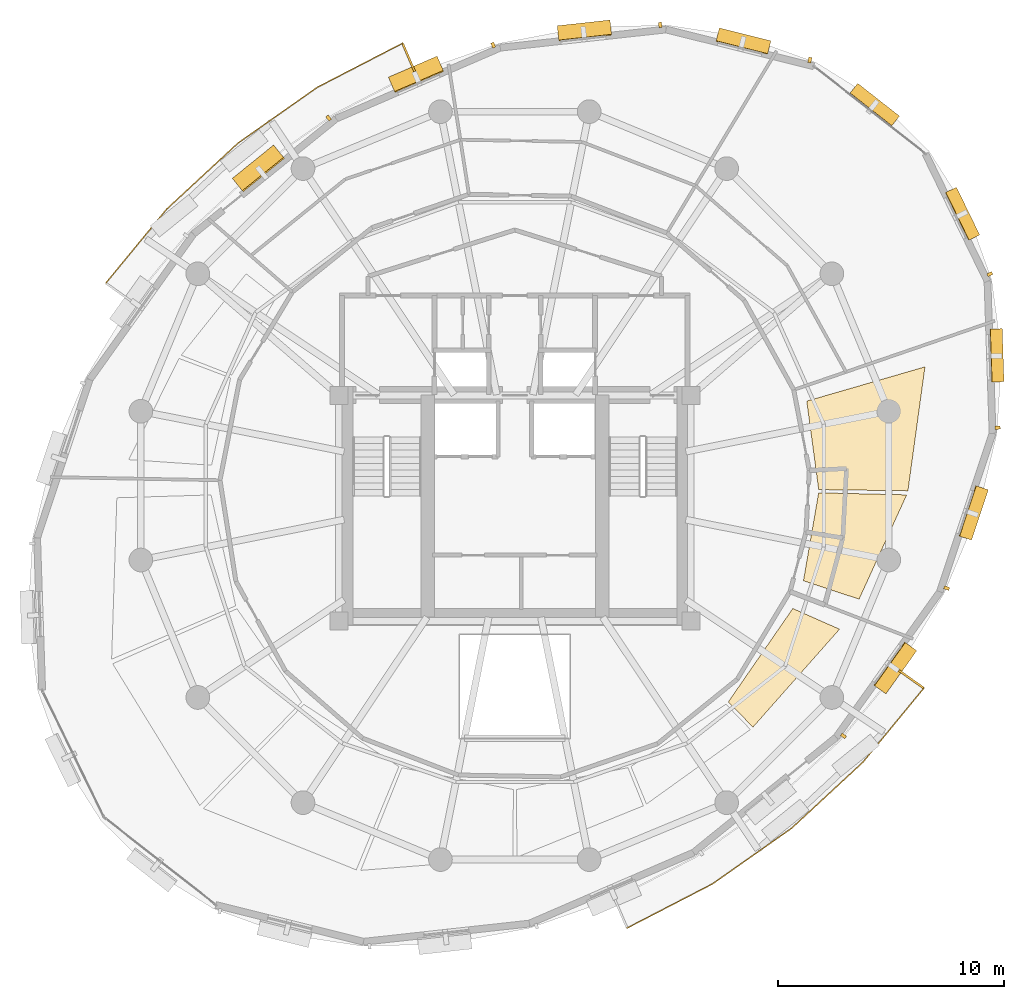
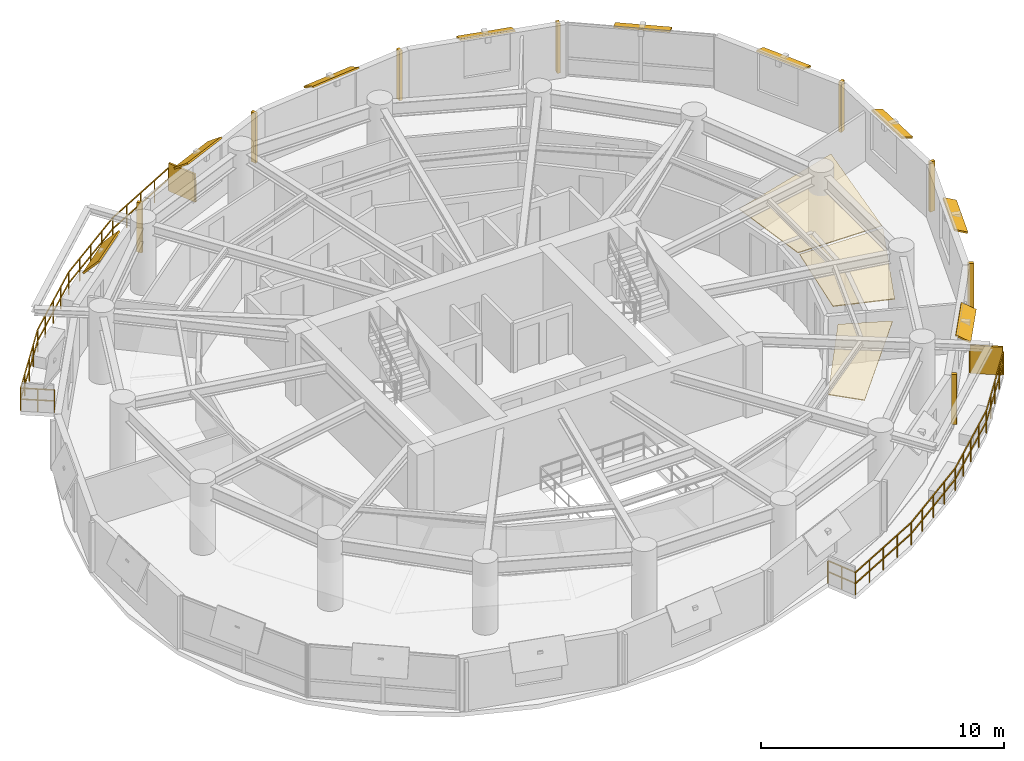
# One storey, part 12 of 12: 19 shading devices, 3 coverings, 2 railings.
"""IFC4 building model written with IfcOpenShell, lengths in metres."""

from ifc_helpers import new_model, si_unit, direction, frame, origin, origin_2d, place, context, subcontext, project, spatial, polyline, rectangle, outline, extrude, material, layer, layer_set, type_object, element, save


model = new_model("IFC4")

# Units and contexts
model_context = context("Model", 3, precision=1e-05, world=origin(), true_north=direction((0.0, 1.0)))
body_context = subcontext(model_context, "Body", "Model", "MODEL_VIEW")
ifc_project = project(units=[si_unit("LENGTHUNIT", "METRE"), si_unit("AREAUNIT", "SQUARE_METRE"), si_unit("VOLUMEUNIT", "CUBIC_METRE"), si_unit("PLANEANGLEUNIT", "RADIAN"), si_unit("MASSUNIT", "GRAM", prefix="KILO"), si_unit("THERMODYNAMICTEMPERATUREUNIT", "KELVIN"), si_unit("POWERUNIT", "WATT")], contexts=[model_context])

# Site, building, storey
site_placement = place(None, origin())
site = spatial("IfcSite", under=ifc_project, at=site_placement, CompositionType="ELEMENT")
building_placement = place(site_placement, origin())
building = spatial("IfcBuilding", under=site, at=building_placement, Name="Ocrelia Relay Tower", CompositionType="ELEMENT")
storey_placement = place(building_placement, frame((0.0, 0.0, 195.199951171875)))
storey = spatial("IfcBuildingStorey", under=building, at=storey_placement, Name="L47", CompositionType="ELEMENT", Elevation=195.199951171875)

# Coverings
ifc_material_1 = material(Name="Mineral-fiber acoustic ceiling tile", Category="gypsum")
ifc_layer_1 = layer(ifc_material_1, 0.0400390625, Name="Mineral-fiber acoustic ceiling tile")
ifc_layer_set_1 = layer_set([ifc_layer_1], Name="Mineral-fiber acoustic ceiling tile")
covering_type = type_object("IfcCoveringType", Name="COV-CEIL-ACOUSTIC", PredefinedType="CEILING", material=ifc_layer_set_1)
covering_1_placement = place(storey_placement, frame((0.0, 0.0, 2.380126953125)))
element("IfcCovering", 1, at=covering_1_placement, inside=storey, type_object=covering_type, Name="L47 Spectrum Operations Office A Suspended Ceiling 1", PredefinedType="CEILING", context=body_context, shape_type="SweptSolid", body=[
    extrude(outline(polyline([(46.79248046875, 21.78173828125), (49.258544921875, 20.968505859375), (51.36767578125, 25.5908203125), (47.46630859375, 25.6826171875), (46.79248046875, 21.78173828125)])), origin(), (0.0, 0.0, 1.0), 0.0400390625),
])
covering_2_placement = place(storey_placement, frame((0.0, 0.0, 2.380126953125)))
element("IfcCovering", 2, at=covering_2_placement, inside=storey, type_object=covering_type, Name="L47 Spectrum Operations Office A Suspended Ceiling 2", PredefinedType="CEILING", context=body_context, shape_type="SweptSolid", body=[
    extrude(outline(polyline([(47.46875, 25.82373046875), (51.423828125, 25.77197265625), (52.178466796875, 31.26416015625), (46.9384765625, 29.74658203125), (47.46875, 25.82373046875)])), origin(), (0.0, 0.0, 1.0), 0.0400390625),
])
covering_3_placement = place(storey_placement, frame((0.0, 0.0, 2.380126953125)))
element("IfcCovering", 3, at=covering_3_placement, inside=storey, type_object=covering_type, Name="L47 Monitoring Office F Suspended Ceiling 7", PredefinedType="CEILING", context=body_context, shape_type="SweptSolid", body=[
    extrude(outline(polyline([(43.459228515625, 16.41015625), (44.55615234375, 15.298095703125), (48.392578125, 19.63720703125), (46.31982421875, 20.553466796875), (43.459228515625, 16.41015625)])), origin(), (0.0, 0.0, 1.0), 0.0400390625),
])

# Railings
ifc_material_2 = material(Name="Steel S355 balustrade", Category="steel")
railing_type = type_object("IfcRailingType", Name="RL-EXT-GUARD-1150", PredefinedType="GUARDRAIL", material=ifc_material_2)
railing_1_placement = place(storey_placement, frame((17.006103515625, 34.170654296875, 0.0)))
element("IfcRailing", 4, at=railing_1_placement, inside=storey, type_object=railing_type, Name="L47 Loggia Balcony Guard Rail B1", PredefinedType="GUARDRAIL", context=body_context, shape_type="SweptSolid", body=[
    extrude(rectangle(XDim=0.048095703125, YDim=0.048095703125, at=origin_2d()), frame((0.0, 0.0, 1.1259765625), z_axis=(-0.81518693876, 0.579197941014, 0.0), x_axis=(-0.579197941014, -0.81518693876, 0.0)), (0.0, 0.0, 1.0), 1.3935546875),
    extrude(rectangle(XDim=0.048095703125, YDim=0.048095703125, at=origin_2d()), frame((0.0, 0.0, 0.574951171875), z_axis=(-0.81518693876, 0.579197941014, 0.0), x_axis=(-0.579197941014, -0.81518693876, 0.0)), (0.0, 0.0, 1.0), 1.3935546875),
    extrude(rectangle(XDim=0.048095703125, YDim=0.048095703125, at=origin_2d()), frame((-1.135986328125, 0.80712890625, 1.1259765625), z_axis=(0.635248453565, 0.77230784163, 0.0), x_axis=(-0.77230784163, 0.635248453565, 0.0)), (0.0, 0.0, 1.0), 2.126953125),
    extrude(rectangle(XDim=0.048095703125, YDim=0.048095703125, at=origin_2d()), frame((-1.135986328125, 0.80712890625, 0.574951171875), z_axis=(0.635248453565, 0.77230784163, 0.0), x_axis=(-0.77230784163, 0.635248453565, 0.0)), (0.0, 0.0, 1.0), 2.126953125),
    extrude(rectangle(XDim=0.048095703125, YDim=0.048095703125, at=origin_2d()), frame((0.215087890625, 2.44970703125, 1.1259765625), z_axis=(0.635236300755, 0.772317837553, 0.0), x_axis=(-0.772317837553, 0.635236300755, 0.0)), (0.0, 0.0, 1.0), 2.12646484375),
    extrude(rectangle(XDim=0.048095703125, YDim=0.048095703125, at=origin_2d()), frame((0.215087890625, 2.44970703125, 0.574951171875), z_axis=(0.635236300755, 0.772317837553, 0.0), x_axis=(-0.772317837553, 0.635236300755, 0.0)), (0.0, 0.0, 1.0), 2.12646484375),
    extrude(rectangle(XDim=0.048095703125, YDim=0.048095703125, at=origin_2d()), frame((1.56591796875, 4.092041015625, 1.1259765625), z_axis=(0.733840359515, 0.679321961037, 0.0), x_axis=(-0.679321961037, 0.733840359515, 0.0)), (0.0, 0.0, 1.0), 4.299072265625),
    extrude(rectangle(XDim=0.048095703125, YDim=0.048095703125, at=origin_2d()), frame((1.56591796875, 4.092041015625, 0.574951171875), z_axis=(0.733840359515, 0.679321961037, 0.0), x_axis=(-0.679321961037, 0.733840359515, 0.0)), (0.0, 0.0, 1.0), 4.299072265625),
    extrude(rectangle(XDim=0.048095703125, YDim=0.048095703125, at=origin_2d()), frame((4.720703125, 7.012451171875, 1.1259765625), z_axis=(0.81804293554, 0.575157157317, 0.0), x_axis=(-0.575157157317, 0.81804293554, 0.0)), (0.0, 0.0, 1.0), 4.299072265625),
    extrude(rectangle(XDim=0.048095703125, YDim=0.048095703125, at=origin_2d()), frame((4.720703125, 7.012451171875, 0.574951171875), z_axis=(0.81804293554, 0.575157157317, 0.0), x_axis=(-0.575157157317, 0.81804293554, 0.0)), (0.0, 0.0, 1.0), 4.299072265625),
    extrude(rectangle(XDim=0.048095703125, YDim=0.048095703125, at=origin_2d()), frame((8.237548828125, 9.485107421875, 1.1259765625), z_axis=(0.888330694231, 0.459204287532, 0.0), x_axis=(-0.459204287532, 0.888330694231, 0.0)), (0.0, 0.0, 1.0), 2.126708984375),
    extrude(rectangle(XDim=0.048095703125, YDim=0.048095703125, at=origin_2d()), frame((8.237548828125, 9.485107421875, 0.574951171875), z_axis=(0.888330694231, 0.459204287532, 0.0), x_axis=(-0.459204287532, 0.888330694231, 0.0)), (0.0, 0.0, 1.0), 2.126708984375),
    extrude(rectangle(XDim=0.048095703125, YDim=0.048095703125, at=origin_2d()), frame((10.126708984375, 10.461669921875, 1.1259765625), z_axis=(0.888330694231, 0.459204287532, 0.0), x_axis=(-0.459204287532, 0.888330694231, 0.0)), (0.0, 0.0, 1.0), 2.126708984375),
    extrude(rectangle(XDim=0.048095703125, YDim=0.048095703125, at=origin_2d()), frame((10.126708984375, 10.461669921875, 0.574951171875), z_axis=(0.888330694231, 0.459204287532, 0.0), x_axis=(-0.459204287532, 0.888330694231, 0.0)), (0.0, 0.0, 1.0), 2.126708984375),
    extrude(rectangle(XDim=0.048095703125, YDim=0.048095703125, at=origin_2d()), frame((12.015869140625, 11.438232421875, 1.1259765625), z_axis=(0.395610254653, -0.918418491981, 0.0), x_axis=(0.918418491981, 0.395610254653, 0.0)), (0.0, 0.0, 1.0), 1.3935546875),
    extrude(rectangle(XDim=0.048095703125, YDim=0.048095703125, at=origin_2d()), frame((12.015869140625, 11.438232421875, 0.574951171875), z_axis=(0.395610254653, -0.918418491981, 0.0), x_axis=(0.918418491981, 0.395610254653, 0.0)), (0.0, 0.0, 1.0), 1.3935546875),
    extrude(rectangle(XDim=0.0419921875, YDim=0.0419921875, at=origin_2d()), origin(), (0.0, 0.0, 1.0), 1.101806640625),
    extrude(rectangle(XDim=0.0419921875, YDim=0.0419921875, at=origin_2d()), frame((-0.56787109375, 0.403564453125, 0.0)), (0.0, 0.0, 1.0), 1.101806640625),
    extrude(rectangle(XDim=0.0419921875, YDim=0.0419921875, at=origin_2d()), frame((-1.135986328125, 0.80712890625, 0.0)), (0.0, 0.0, 1.0), 1.101806640625),
    extrude(rectangle(XDim=0.0419921875, YDim=0.0419921875, at=origin_2d()), frame((-0.46044921875, 1.62841796875, 0.0)), (0.0, 0.0, 1.0), 1.101806640625),
    extrude(rectangle(XDim=0.0419921875, YDim=0.0419921875, at=origin_2d()), frame((0.215087890625, 2.44970703125, 0.0)), (0.0, 0.0, 1.0), 1.101806640625),
    extrude(rectangle(XDim=0.0419921875, YDim=0.0419921875, at=origin_2d()), frame((0.890625, 3.27099609375, 0.0)), (0.0, 0.0, 1.0), 1.101806640625),
    extrude(rectangle(XDim=0.0419921875, YDim=0.0419921875, at=origin_2d()), frame((1.56591796875, 4.092041015625, 0.0)), (0.0, 0.0, 1.0), 1.101806640625),
    extrude(rectangle(XDim=0.0419921875, YDim=0.0419921875, at=origin_2d()), frame((2.3544921875, 4.822265625, 0.0)), (0.0, 0.0, 1.0), 1.101806640625),
    extrude(rectangle(XDim=0.0419921875, YDim=0.0419921875, at=origin_2d()), frame((3.143310546875, 5.55224609375, 0.0)), (0.0, 0.0, 1.0), 1.101806640625),
    extrude(rectangle(XDim=0.0419921875, YDim=0.0419921875, at=origin_2d()), frame((3.93212890625, 6.2822265625, 0.0)), (0.0, 0.0, 1.0), 1.101806640625),
    extrude(rectangle(XDim=0.0419921875, YDim=0.0419921875, at=origin_2d()), frame((4.720703125, 7.012451171875, 0.0)), (0.0, 0.0, 1.0), 1.101806640625),
    extrude(rectangle(XDim=0.0419921875, YDim=0.0419921875, at=origin_2d()), frame((5.599853515625, 7.630615234375, 0.0)), (0.0, 0.0, 1.0), 1.101806640625),
    extrude(rectangle(XDim=0.0419921875, YDim=0.0419921875, at=origin_2d()), frame((6.47900390625, 8.248779296875, 0.0)), (0.0, 0.0, 1.0), 1.101806640625),
    extrude(rectangle(XDim=0.0419921875, YDim=0.0419921875, at=origin_2d()), frame((7.3583984375, 8.866943359375, 0.0)), (0.0, 0.0, 1.0), 1.101806640625),
    extrude(rectangle(XDim=0.0419921875, YDim=0.0419921875, at=origin_2d()), frame((8.237548828125, 9.485107421875, 0.0)), (0.0, 0.0, 1.0), 1.101806640625),
    extrude(rectangle(XDim=0.0419921875, YDim=0.0419921875, at=origin_2d()), frame((9.18212890625, 9.973388671875, 0.0)), (0.0, 0.0, 1.0), 1.101806640625),
    extrude(rectangle(XDim=0.0419921875, YDim=0.0419921875, at=origin_2d()), frame((10.126708984375, 10.461669921875, 0.0)), (0.0, 0.0, 1.0), 1.101806640625),
    extrude(rectangle(XDim=0.0419921875, YDim=0.0419921875, at=origin_2d()), frame((11.0712890625, 10.949951171875, 0.0)), (0.0, 0.0, 1.0), 1.101806640625),
    extrude(rectangle(XDim=0.0419921875, YDim=0.0419921875, at=origin_2d()), frame((12.015869140625, 11.438232421875, 0.0)), (0.0, 0.0, 1.0), 1.101806640625),
    extrude(rectangle(XDim=0.0419921875, YDim=0.0419921875, at=origin_2d()), frame((12.29150390625, 10.79833984375, 0.0)), (0.0, 0.0, 1.0), 1.101806640625),
    extrude(rectangle(XDim=0.0419921875, YDim=0.0419921875, at=origin_2d()), frame((12.567138671875, 10.158447265625, 0.0)), (0.0, 0.0, 1.0), 1.101806640625),
])
railing_2_placement = place(storey_placement, frame((50.993896484375, 17.829345703125, 0.0)))
element("IfcRailing", 5, at=railing_2_placement, inside=storey, type_object=railing_type, Name="L47 Loggia Balcony Guard Rail B2", PredefinedType="GUARDRAIL", context=body_context, shape_type="SweptSolid", body=[
    extrude(rectangle(XDim=0.048095703125, YDim=0.048095703125, at=origin_2d()), frame((0.0, 0.0, 1.1259765625), z_axis=(0.81518693876, -0.579197941014, 0.0), x_axis=(0.579197941014, 0.81518693876, 0.0)), (0.0, 0.0, 1.0), 1.3935546875),
    extrude(rectangle(XDim=0.048095703125, YDim=0.048095703125, at=origin_2d()), frame((0.0, 0.0, 0.574951171875), z_axis=(0.81518693876, -0.579197941014, 0.0), x_axis=(0.579197941014, 0.81518693876, 0.0)), (0.0, 0.0, 1.0), 1.3935546875),
    extrude(rectangle(XDim=0.048095703125, YDim=0.048095703125, at=origin_2d()), frame((1.135986328125, -0.80712890625, 1.1259765625), z_axis=(-0.635248453565, -0.77230784163, 0.0), x_axis=(0.77230784163, -0.635248453565, 0.0)), (0.0, 0.0, 1.0), 2.126953125),
    extrude(rectangle(XDim=0.048095703125, YDim=0.048095703125, at=origin_2d()), frame((1.135986328125, -0.80712890625, 0.574951171875), z_axis=(-0.635248453565, -0.77230784163, 0.0), x_axis=(0.77230784163, -0.635248453565, 0.0)), (0.0, 0.0, 1.0), 2.126953125),
    extrude(rectangle(XDim=0.048095703125, YDim=0.048095703125, at=origin_2d()), frame((-0.215087890625, -2.44970703125, 1.1259765625), z_axis=(-0.635236300755, -0.772317837553, 0.0), x_axis=(0.772317837553, -0.635236300755, 0.0)), (0.0, 0.0, 1.0), 2.12646484375),
    extrude(rectangle(XDim=0.048095703125, YDim=0.048095703125, at=origin_2d()), frame((-0.215087890625, -2.44970703125, 0.574951171875), z_axis=(-0.635236300755, -0.772317837553, 0.0), x_axis=(0.772317837553, -0.635236300755, 0.0)), (0.0, 0.0, 1.0), 2.12646484375),
    extrude(rectangle(XDim=0.048095703125, YDim=0.048095703125, at=origin_2d()), frame((-1.56591796875, -4.092041015625, 1.1259765625), z_axis=(-0.733840359515, -0.679321961037, 0.0), x_axis=(0.679321961037, -0.733840359515, 0.0)), (0.0, 0.0, 1.0), 4.299072265625),
    extrude(rectangle(XDim=0.048095703125, YDim=0.048095703125, at=origin_2d()), frame((-1.56591796875, -4.092041015625, 0.574951171875), z_axis=(-0.733840359515, -0.679321961037, 0.0), x_axis=(0.679321961037, -0.733840359515, 0.0)), (0.0, 0.0, 1.0), 4.299072265625),
    extrude(rectangle(XDim=0.048095703125, YDim=0.048095703125, at=origin_2d()), frame((-4.720703125, -7.012451171875, 1.1259765625), z_axis=(-0.81804293554, -0.575157157317, 0.0), x_axis=(0.575157157317, -0.81804293554, 0.0)), (0.0, 0.0, 1.0), 4.299072265625),
    extrude(rectangle(XDim=0.048095703125, YDim=0.048095703125, at=origin_2d()), frame((-4.720703125, -7.012451171875, 0.574951171875), z_axis=(-0.81804293554, -0.575157157317, 0.0), x_axis=(0.575157157317, -0.81804293554, 0.0)), (0.0, 0.0, 1.0), 4.299072265625),
    extrude(rectangle(XDim=0.048095703125, YDim=0.048095703125, at=origin_2d()), frame((-8.237548828125, -9.485107421875, 1.1259765625), z_axis=(-0.888330694231, -0.459204287532, 0.0), x_axis=(0.459204287532, -0.888330694231, 0.0)), (0.0, 0.0, 1.0), 2.126708984375),
    extrude(rectangle(XDim=0.048095703125, YDim=0.048095703125, at=origin_2d()), frame((-8.237548828125, -9.485107421875, 0.574951171875), z_axis=(-0.888330694231, -0.459204287532, 0.0), x_axis=(0.459204287532, -0.888330694231, 0.0)), (0.0, 0.0, 1.0), 2.126708984375),
    extrude(rectangle(XDim=0.048095703125, YDim=0.048095703125, at=origin_2d()), frame((-10.126708984375, -10.461669921875, 1.1259765625), z_axis=(-0.888330694231, -0.459204287532, 0.0), x_axis=(0.459204287532, -0.888330694231, 0.0)), (0.0, 0.0, 1.0), 2.126708984375),
    extrude(rectangle(XDim=0.048095703125, YDim=0.048095703125, at=origin_2d()), frame((-10.126708984375, -10.461669921875, 0.574951171875), z_axis=(-0.888330694231, -0.459204287532, 0.0), x_axis=(0.459204287532, -0.888330694231, 0.0)), (0.0, 0.0, 1.0), 2.126708984375),
    extrude(rectangle(XDim=0.048095703125, YDim=0.048095703125, at=origin_2d()), frame((-12.015869140625, -11.438232421875, 1.1259765625), z_axis=(-0.395610254653, 0.918418491981, 0.0), x_axis=(-0.918418491981, -0.395610254653, 0.0)), (0.0, 0.0, 1.0), 1.3935546875),
    extrude(rectangle(XDim=0.048095703125, YDim=0.048095703125, at=origin_2d()), frame((-12.015869140625, -11.438232421875, 0.574951171875), z_axis=(-0.395610254653, 0.918418491981, 0.0), x_axis=(-0.918418491981, -0.395610254653, 0.0)), (0.0, 0.0, 1.0), 1.3935546875),
    extrude(rectangle(XDim=0.0419921875, YDim=0.0419921875, at=origin_2d()), origin(), (0.0, 0.0, 1.0), 1.101806640625),
    extrude(rectangle(XDim=0.0419921875, YDim=0.0419921875, at=origin_2d()), frame((0.56787109375, -0.403564453125, 0.0)), (0.0, 0.0, 1.0), 1.101806640625),
    extrude(rectangle(XDim=0.0419921875, YDim=0.0419921875, at=origin_2d()), frame((1.135986328125, -0.80712890625, 0.0)), (0.0, 0.0, 1.0), 1.101806640625),
    extrude(rectangle(XDim=0.0419921875, YDim=0.0419921875, at=origin_2d()), frame((0.46044921875, -1.62841796875, 0.0)), (0.0, 0.0, 1.0), 1.101806640625),
    extrude(rectangle(XDim=0.0419921875, YDim=0.0419921875, at=origin_2d()), frame((-0.215087890625, -2.44970703125, 0.0)), (0.0, 0.0, 1.0), 1.101806640625),
    extrude(rectangle(XDim=0.0419921875, YDim=0.0419921875, at=origin_2d()), frame((-0.890625, -3.27099609375, 0.0)), (0.0, 0.0, 1.0), 1.101806640625),
    extrude(rectangle(XDim=0.0419921875, YDim=0.0419921875, at=origin_2d()), frame((-1.56591796875, -4.092041015625, 0.0)), (0.0, 0.0, 1.0), 1.101806640625),
    extrude(rectangle(XDim=0.0419921875, YDim=0.0419921875, at=origin_2d()), frame((-2.3544921875, -4.822265625, 0.0)), (0.0, 0.0, 1.0), 1.101806640625),
    extrude(rectangle(XDim=0.0419921875, YDim=0.0419921875, at=origin_2d()), frame((-3.143310546875, -5.55224609375, 0.0)), (0.0, 0.0, 1.0), 1.101806640625),
    extrude(rectangle(XDim=0.0419921875, YDim=0.0419921875, at=origin_2d()), frame((-3.93212890625, -6.2822265625, 0.0)), (0.0, 0.0, 1.0), 1.101806640625),
    extrude(rectangle(XDim=0.0419921875, YDim=0.0419921875, at=origin_2d()), frame((-4.720703125, -7.012451171875, 0.0)), (0.0, 0.0, 1.0), 1.101806640625),
    extrude(rectangle(XDim=0.0419921875, YDim=0.0419921875, at=origin_2d()), frame((-5.599853515625, -7.630615234375, 0.0)), (0.0, 0.0, 1.0), 1.101806640625),
    extrude(rectangle(XDim=0.0419921875, YDim=0.0419921875, at=origin_2d()), frame((-6.47900390625, -8.248779296875, 0.0)), (0.0, 0.0, 1.0), 1.101806640625),
    extrude(rectangle(XDim=0.0419921875, YDim=0.0419921875, at=origin_2d()), frame((-7.3583984375, -8.866943359375, 0.0)), (0.0, 0.0, 1.0), 1.101806640625),
    extrude(rectangle(XDim=0.0419921875, YDim=0.0419921875, at=origin_2d()), frame((-8.237548828125, -9.485107421875, 0.0)), (0.0, 0.0, 1.0), 1.101806640625),
    extrude(rectangle(XDim=0.0419921875, YDim=0.0419921875, at=origin_2d()), frame((-9.18212890625, -9.973388671875, 0.0)), (0.0, 0.0, 1.0), 1.101806640625),
    extrude(rectangle(XDim=0.0419921875, YDim=0.0419921875, at=origin_2d()), frame((-10.126708984375, -10.461669921875, 0.0)), (0.0, 0.0, 1.0), 1.101806640625),
    extrude(rectangle(XDim=0.0419921875, YDim=0.0419921875, at=origin_2d()), frame((-11.0712890625, -10.949951171875, 0.0)), (0.0, 0.0, 1.0), 1.101806640625),
    extrude(rectangle(XDim=0.0419921875, YDim=0.0419921875, at=origin_2d()), frame((-12.015869140625, -11.438232421875, 0.0)), (0.0, 0.0, 1.0), 1.101806640625),
    extrude(rectangle(XDim=0.0419921875, YDim=0.0419921875, at=origin_2d()), frame((-12.29150390625, -10.79833984375, 0.0)), (0.0, 0.0, 1.0), 1.101806640625),
    extrude(rectangle(XDim=0.0419921875, YDim=0.0419921875, at=origin_2d()), frame((-12.567138671875, -10.158447265625, 0.0)), (0.0, 0.0, 1.0), 1.101806640625),
])

# Shading devices
ifc_material_3 = material(Name="Perforated oxide terracotta solar screen", Category="masonry")
ifc_layer_2 = layer(ifc_material_3, 0.090087890625, Name="Perforated oxide terracotta solar screen")
ifc_layer_set_2 = layer_set([ifc_layer_2], Name="Perforated oxide terracotta solar screen")
shading_device_type_1 = type_object("IfcShadingDeviceType", Name="SH-BALC-SCREEN", PredefinedType="USERDEFINED", material=ifc_layer_set_2)
for number, where, z_axis, x_axis, name in (
    (6, (29.297607421875, 44.968994140625, 0.0), (0.0, 0.0, 1.0), (-0.395624827278, 0.918412214663, 0.0), "L47 Balcony Perforated Terracotta Screen B1-1"),
    (7, (51.56201171875, 17.42578125, 0.0), (0.0, 0.0, 1.0), (0.815084096539, -0.579342658165, 0.0), "L47 Balcony Perforated Terracotta Screen B2-2"),
):
    element("IfcShadingDevice", number, at=place(storey_placement, frame(where, z_axis=z_axis, x_axis=x_axis)), inside=storey, type_object=shading_device_type_1, Name=name, ObjectType="SCREEN", PredefinedType="USERDEFINED", context=body_context, shape_type="SweptSolid", body=[
        extrude(rectangle(XDim=1.340087890625, YDim=0.090087890625, at=origin_2d()), origin(), (0.0, 0.0, 1.0), 1.39990234375),
    ])
ifc_material_4 = material(Name="Extruded oxide terracotta vertical baguette", Category="masonry")
shading_device_type_2 = type_object("IfcShadingDeviceType", Name="SH-TERR-BAGUETTE", PredefinedType="USERDEFINED", material=ifc_material_4)
for number, where, z_axis, x_axis, name in (
    (8, (47.07470703125, 44.865478515625, 0.080078125), (0.0, 0.0, 1.0), (-0.970268822899, 0.242029773602, 0.0), "L47 Oxide Terracotta Vertical Baguette 02"),
    (9, (40.44384765625, 46.419189453125, 0.080078125), (0.0, 0.0, 1.0), (-0.994046667767, -0.108955138936, 0.0), "L47 Oxide Terracotta Vertical Baguette 03"),
    (10, (33.042236328125, 45.526611328125, 0.080078125), (0.0, 0.0, 1.0), (-0.91781591783, -0.397006222846, 0.0), "L47 Oxide Terracotta Vertical Baguette 04"),
    (11, (25.7470703125, 42.291748046875, 0.080078125), (0.0, 0.0, 1.0), (-0.777688264351, -0.628650112138, 0.0), "L47 Oxide Terracotta Vertical Baguette 05"),
    (12, (48.568359375, 14.906982421875, 0.080078125), (0.0, 0.0, 1.0), (0.580582874638, 0.814201157993, 0.0), "L47 Oxide Terracotta Vertical Baguette 15"),
    (13, (53.137939453125, 21.454833984375, 0.080078125), (0.0, 0.0, 1.0), (0.31490134324, 0.94912440914, 0.0), "L47 Oxide Terracotta Vertical Baguette 16"),
    (14, (55.3955078125, 28.568115234375, 0.080078125), (0.0, 0.0, 1.0), (-0.033268921474, 0.999446436216, 0.0), "L47 Oxide Terracotta Vertical Baguette 17"),
    (15, (55.05078125, 35.37841796875, 0.080078125), (0.0, 0.0, 1.0), (-0.437887621524, 0.89902971637, 0.0), "L47 Oxide Terracotta Vertical Baguette 18"),
):
    element("IfcShadingDevice", number, at=place(storey_placement, frame(where, z_axis=z_axis, x_axis=x_axis)), inside=storey, type_object=shading_device_type_2, Name=name, ObjectType="BAGUETTE", PredefinedType="USERDEFINED", context=body_context, shape_type="SweptSolid", body=[
        extrude(rectangle(XDim=0.139892578125, YDim=0.239990234375, at=origin_2d()), origin(), (0.0, 0.0, 1.0), 2.5),
    ])
ifc_material_5 = material(Name="Extruded oxide terracotta fin", Category="masonry")
ifc_layer_3 = layer(ifc_material_5, 0.080078125, Name="Extruded oxide terracotta fin")
ifc_layer_set_3 = layer_set([ifc_layer_3], Name="Extruded oxide terracotta fin")
shading_device_type_3 = type_object("IfcShadingDeviceType", Name="SH-VISOR-FIN-MED", PredefinedType="USERDEFINED", material=ifc_layer_set_3)
shading_device_1_placement = place(storey_placement, frame((29.63134765625, 44.20751953125, 2.468017578125), z_axis=(-0.240139980465, 0.555165848531, 0.796318824597), x_axis=(-0.91781591783, -0.397006222846, 0.0)))
element("IfcShadingDevice", 16, at=shading_device_1_placement, inside=storey, type_object=shading_device_type_3, Name="L47 Canted Terracotta Sun-Visor Fin 04", ObjectType="FIN", PredefinedType="USERDEFINED", context=body_context, shape_type="SweptSolid", body=[
    extrude(rectangle(XDim=2.35009765625, YDim=0.8701171875, at=origin_2d()), origin(), (0.0, 0.0, 1.0), 0.080078125),
])
shading_device_2_placement = place(storey_placement, frame((22.652099609375, 40.03857421875, 2.47314453125), z_axis=(-0.465633184156, 0.576023857817, 0.671849873885), x_axis=(-0.777688264351, -0.628650112138, 0.0)))
element("IfcShadingDevice", 17, at=shading_device_2_placement, inside=storey, type_object=shading_device_type_3, Name="L47 Canted Terracotta Sun-Visor Fin 05", ObjectType="FIN", PredefinedType="USERDEFINED", context=body_context, shape_type="SweptSolid", body=[
    extrude(rectangle(XDim=2.35009765625, YDim=1.0458984375, at=origin_2d()), origin(), (0.0, 0.0, 1.0), 0.080078125),
])
ifc_layer_4 = layer(ifc_material_5, 0.080078125, Name="Extruded oxide terracotta fin")
ifc_layer_set_4 = layer_set([ifc_layer_4], Name="Extruded oxide terracotta fin")
shading_device_type_4 = type_object("IfcShadingDeviceType", Name="SH-VISOR-FIN-SHAL", PredefinedType="USERDEFINED", material=ifc_layer_set_4)
shading_device_3_placement = place(storey_placement, frame((49.937744140625, 42.870361328125, 2.46240234375), z_axis=(0.207758426769, 0.265252505221, 0.941529364694), x_axis=(-0.787260762162, 0.616620217281, 0.0)))
element("IfcShadingDevice", 18, at=shading_device_3_placement, inside=storey, type_object=shading_device_type_4, Name="L47 Canted Terracotta Sun-Visor Fin 01", ObjectType="FIN", PredefinedType="USERDEFINED", context=body_context, shape_type="SweptSolid", body=[
    extrude(rectangle(XDim=2.35009765625, YDim=0.577880859375, at=origin_2d()), origin(), (0.0, 0.0, 1.0), 0.080078125),
])
shading_device_4_placement = place(storey_placement, frame((44.130126953125, 45.685546875, 2.463134765625), z_axis=(0.094685205951, 0.379581825644, 0.920300140941), x_axis=(-0.970268822899, 0.242029773602, 0.0)))
element("IfcShadingDevice", 19, at=shading_device_4_placement, inside=storey, type_object=shading_device_type_4, Name="L47 Canted Terracotta Sun-Visor Fin 02", ObjectType="FIN", PredefinedType="USERDEFINED", context=body_context, shape_type="SweptSolid", body=[
    extrude(rectangle(XDim=2.35009765625, YDim=0.634033203125, at=origin_2d()), origin(), (0.0, 0.0, 1.0), 0.080078125),
])
shading_device_5_placement = place(storey_placement, frame((37.087890625, 46.154541015625, 2.46484375), z_axis=(-0.052306137049, 0.477212380662, 0.877229965157), x_axis=(-0.994046667767, -0.108955138936, 0.0)))
element("IfcShadingDevice", 20, at=shading_device_5_placement, inside=storey, type_object=shading_device_type_4, Name="L47 Canted Terracotta Sun-Visor Fin 03", ObjectType="FIN", PredefinedType="USERDEFINED", context=body_context, shape_type="SweptSolid", body=[
    extrude(rectangle(XDim=2.35009765625, YDim=0.72802734375, at=origin_2d()), origin(), (0.0, 0.0, 1.0), 0.080078125),
])
shading_device_6_placement = place(storey_placement, frame((50.848388671875, 17.929443359375, 2.46435546875), z_axis=(0.366724442956, -0.261500403434, 0.892821775016), x_axis=(0.580582874638, 0.814201157993, 0.0)))
element("IfcShadingDevice", 21, at=shading_device_6_placement, inside=storey, type_object=shading_device_type_4, Name="L47 Canted Terracotta Sun-Visor Fin 15", ObjectType="FIN", PredefinedType="USERDEFINED", context=body_context, shape_type="SweptSolid", body=[
    extrude(rectangle(XDim=2.35009765625, YDim=0.696044921875, at=origin_2d()), origin(), (0.0, 0.0, 1.0), 0.080078125),
])
shading_device_7_placement = place(storey_placement, frame((54.322021484375, 24.794921875, 2.462646484375), z_axis=(0.338433983463, -0.112285928972, 0.934266722619), x_axis=(0.31490134324, 0.94912440914, 0.0)))
element("IfcShadingDevice", 22, at=shading_device_7_placement, inside=storey, type_object=shading_device_type_4, Name="L47 Canted Terracotta Sun-Visor Fin 16", ObjectType="FIN", PredefinedType="USERDEFINED", context=body_context, shape_type="SweptSolid", body=[
    extrude(rectangle(XDim=2.35009765625, YDim=0.597900390625, at=origin_2d()), origin(), (0.0, 0.0, 1.0), 0.080078125),
])
shading_device_8_placement = place(storey_placement, frame((55.353515625, 31.773193359375, 2.4619140625), z_axis=(0.314812154525, 0.010479261788, 0.94909614499), x_axis=(-0.033268921474, 0.999446436216, 0.0)))
element("IfcShadingDevice", 23, at=shading_device_8_placement, inside=storey, type_object=shading_device_type_4, Name="L47 Canted Terracotta Sun-Visor Fin 17", ObjectType="FIN", PredefinedType="USERDEFINED", context=body_context, shape_type="SweptSolid", body=[
    extrude(rectangle(XDim=2.35009765625, YDim=0.555908203125, at=origin_2d()), origin(), (0.0, 0.0, 1.0), 0.080078125),
])
shading_device_9_placement = place(storey_placement, frame((53.831298828125, 38.0439453125, 2.4619140625), z_axis=(0.279903857082, 0.136331905388, 0.950298606946), x_axis=(-0.437887621524, 0.89902971637, 0.0)))
element("IfcShadingDevice", 24, at=shading_device_9_placement, inside=storey, type_object=shading_device_type_4, Name="L47 Canted Terracotta Sun-Visor Fin 18", ObjectType="FIN", PredefinedType="USERDEFINED", context=body_context, shape_type="SweptSolid", body=[
    extrude(rectangle(XDim=2.35009765625, YDim=0.552001953125, at=origin_2d()), origin(), (0.0, 0.0, 1.0), 0.080078125),
])

save(model, "model.ifc")
